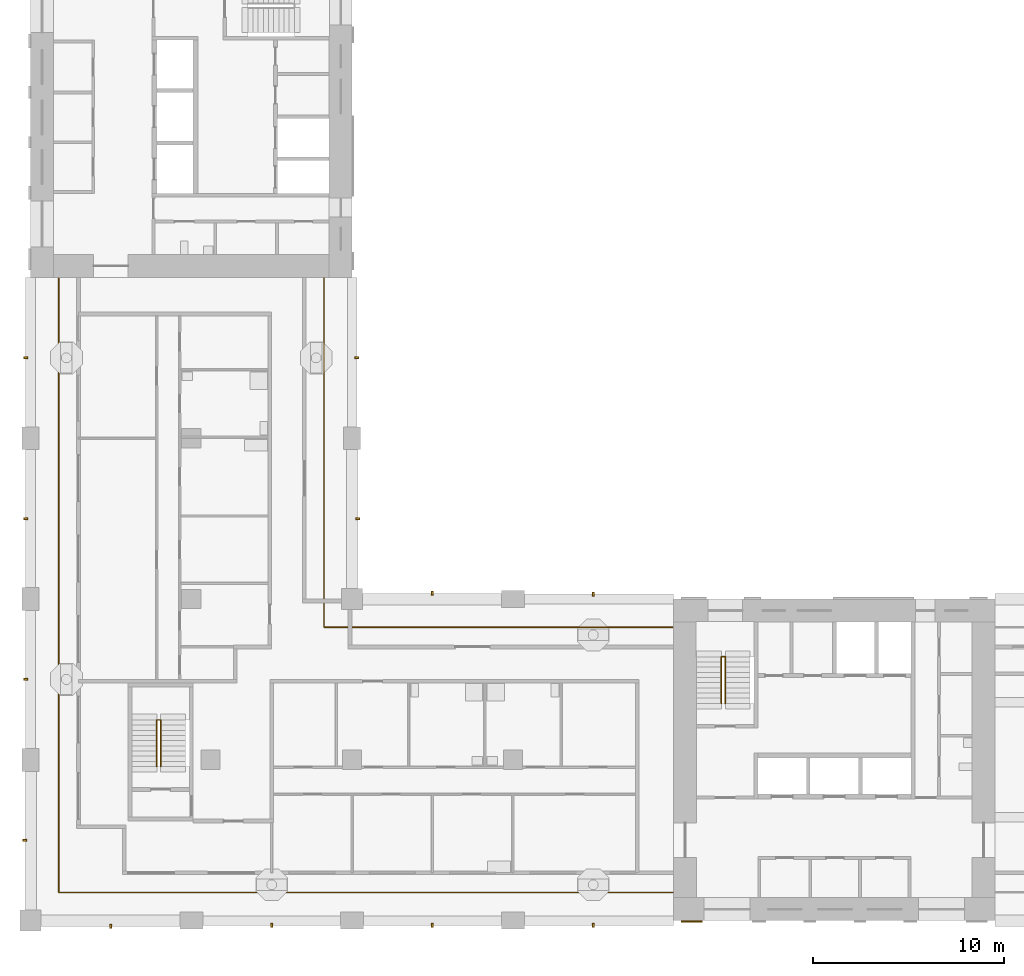
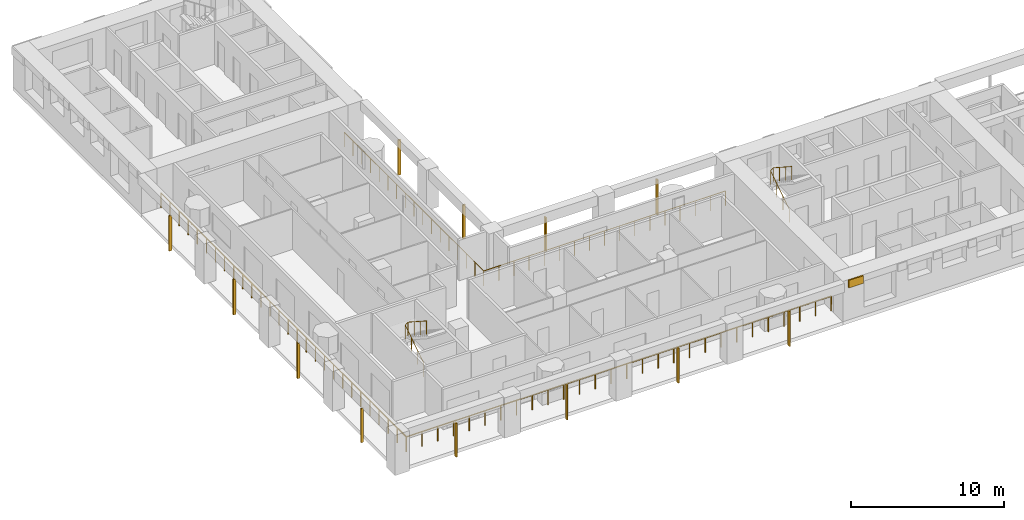
# One storey, part 8 of 13: 13 shading devices, 4 railings.
"""IFC4 building model written with IfcOpenShell, lengths in metres."""

import ifcopenshell
import ifcopenshell.guid

model = None  # the IFC model being written
_history = None  # IfcOwnerHistory: only IFC2X3 demands one
_inside = {}  # id of a spatial element -> (the spatial element, [elements in it])
_under = {}  # id of a project, library or spatial element -> (it, [spatial elements below it])
_declared = {}  # id of a project -> (the project, [libraries it declares])
_typed = {}  # id of a type object -> (the type object, [elements of that type])
_made_of = {}  # id of a material, layer set ... -> (it, [elements and type objects made of it])


def new_model(schema):
    """Start an empty IFC model of exactly this schema.

    Asked for "IFC4X3", IfcOpenShell would pick the latest addendum, in which some entities
    have other attributes; the version numbers below select the first issue.
    IFC2X3 requires an IfcOwnerHistory on every rooted entity: one is made here for all.
    """
    global model, _history
    if schema == "IFC4X3":
        model = ifcopenshell.file(schema_version=(4, 3, 0, 0))
    else:
        model = ifcopenshell.file(schema=schema)
    _inside.clear()
    _under.clear()
    _declared.clear()
    _typed.clear()
    _made_of.clear()
    _history = None
    if model.schema == "IFC2X3":
        org = make("IfcOrganization", Name="unknown")
        user = make(
            "IfcPersonAndOrganization",
            ThePerson=make("IfcPerson", FamilyName="unknown"),
            TheOrganization=org,
        )
        app = make(
            "IfcApplication",
            ApplicationDeveloper=org,
            Version="unknown",
            ApplicationFullName="unknown",
            ApplicationIdentifier="unknown",
        )
        _history = make(
            "IfcOwnerHistory",
            OwningUser=user,
            OwningApplication=app,
            ChangeAction="ADDED",
            CreationDate=0,
        )
    return model


def make(cls, **values):
    """One entity of the class cls with the attributes given. An attribute that is None is left unset."""
    return model.create_entity(
        cls, **{name: value for name, value in values.items() if value is not None}
    )


def rooted(cls, **values):
    """An entity with a GlobalId (a new one), such as an element, a storey or a relation."""
    return make(cls, GlobalId=ifcopenshell.guid.new(), OwnerHistory=_history, **values)


def si_unit(unit_type, name, prefix=None):
    """IfcSIUnit, for example si_unit("LENGTHUNIT", "METRE", prefix="MILLI")."""
    return make("IfcSIUnit", UnitType=unit_type, Prefix=prefix, Name=name)


def assignment(units):
    """IfcUnitAssignment: the units of a project."""
    return None if units is None else make("IfcUnitAssignment", Units=units)


def point(xyz):
    """IfcCartesianPoint."""
    return None if xyz is None else make("IfcCartesianPoint", Coordinates=xyz)


def direction(xyz):
    """IfcDirection."""
    return None if xyz is None else make("IfcDirection", DirectionRatios=xyz)


def frame(location, z_axis=None, x_axis=None):
    """IfcAxis2Placement3D, a coordinate frame: its origin and axes. An axis left out is left unset."""
    return make(
        "IfcAxis2Placement3D",
        Location=point(location),
        Axis=direction(z_axis),
        RefDirection=direction(x_axis),
    )


def frame_2d(location, x_axis=None):
    """IfcAxis2Placement2D, a coordinate frame in the plane: its origin and x axis."""
    return make(
        "IfcAxis2Placement2D", Location=point(location), RefDirection=direction(x_axis)
    )


def origin():
    """The frame at (0, 0, 0) with its axes left unset."""
    return frame((0.0, 0.0, 0.0))


def origin_2d():
    """The frame at (0, 0) in the plane with its x axis left unset."""
    return frame_2d((0.0, 0.0))


def place(relative_to, where):
    """IfcLocalPlacement: puts the frame where relative to a parent placement (None: the world)."""
    return make(
        "IfcLocalPlacement", PlacementRelTo=relative_to, RelativePlacement=where
    )


def context(
    kind, dimensions, precision=None, world=None, true_north=None, identifier=None
):
    """IfcGeometricRepresentationContext, for example the 3D "Model" context."""
    return make(
        "IfcGeometricRepresentationContext",
        ContextIdentifier=identifier,
        ContextType=kind,
        CoordinateSpaceDimension=dimensions,
        Precision=precision,
        WorldCoordinateSystem=world,
        TrueNorth=true_north,
    )


def subcontext(parent, identifier, kind, view, scale=None):
    """IfcGeometricRepresentationSubContext, for example "Body" below "Model"."""
    return make(
        "IfcGeometricRepresentationSubContext",
        ContextIdentifier=identifier,
        ContextType=kind,
        ParentContext=parent,
        TargetScale=scale,
        TargetView=view,
    )


def project(units=None, contexts=None):
    """IfcProject with its units and contexts."""
    return rooted(
        "IfcProject",
        Name="project",
        RepresentationContexts=contexts,
        UnitsInContext=assignment(units),
    )


def spatial(cls, under=None, at=None, **own):
    """A site, building, storey or space (cls), placed at a placement, below another one or the project."""
    s = rooted(cls, ObjectPlacement=at, **own)
    if under is not None:
        _under.setdefault(under.id(), (under, []))[1].append(s)
    return s


def profile(cls, at=None, kind="AREA", **sizes):
    """A parametric profile (cls). Its sizes go by their IFC names, for example OverallWidth=200.0."""
    return make(cls, ProfileType=kind, Position=at, **sizes)


def rectangle(**sizes):
    """IfcRectangleProfileDef."""
    return profile("IfcRectangleProfileDef", **sizes)


def circle(**sizes):
    """IfcCircleProfileDef."""
    return profile("IfcCircleProfileDef", **sizes)


def extrude(swept, where, along, depth):
    """IfcExtrudedAreaSolid: the profile swept, set in the frame where, extruded along a direction by depth."""
    return make(
        "IfcExtrudedAreaSolid",
        SweptArea=swept,
        Position=where,
        ExtrudedDirection=direction(along),
        Depth=depth,
    )


def shape(context_of_items, identifier, shape_type, items):
    """IfcShapeRepresentation: the items that make up one representation, for example the "Body"."""
    return make(
        "IfcShapeRepresentation",
        ContextOfItems=context_of_items,
        RepresentationIdentifier=identifier,
        RepresentationType=shape_type,
        Items=items,
    )


def material(Name=None, Category=None):
    """IfcMaterial."""
    return make("IfcMaterial", Name=Name, Category=Category)


def layer(
    of_material, thickness, ventilated=None, Name=None, Category=None, Priority=None
):
    """IfcMaterialLayer: one layer of a wall or slab, of a material (None: an air gap)."""
    return make(
        "IfcMaterialLayer",
        Material=of_material,
        LayerThickness=thickness,
        IsVentilated=ventilated,
        Name=Name,
        Category=Category,
        Priority=Priority,
    )


def layer_set(layers, Name=None):
    """IfcMaterialLayerSet."""
    return make("IfcMaterialLayerSet", MaterialLayers=layers, LayerSetName=Name)


def material_profile(
    of_material, cross_section, Name=None, Category=None, Priority=None
):
    """IfcMaterialProfile: a cross section and its material."""
    return make(
        "IfcMaterialProfile",
        Name=Name,
        Material=of_material,
        Profile=cross_section,
        Priority=Priority,
        Category=Category,
    )


def profile_set(profiles, Name=None, composite=None):
    """IfcMaterialProfileSet."""
    return make(
        "IfcMaterialProfileSet",
        Name=Name,
        MaterialProfiles=profiles,
        CompositeProfile=composite,
    )


def made_of(thing, what):
    """Note that an element or type object is made of a material, layer set ...; save() writes the relation."""
    if what is not None:
        _made_of.setdefault(what.id(), (what, []))[1].append(thing)
    return thing


def type_object(cls, material=None, **own):
    """A type object (cls), such as IfcWallType, which elements share."""
    return made_of(rooted(cls, **own), material)


def element(
    cls,
    number,
    at=None,
    inside=None,
    cuts=None,
    type_object=None,
    material=None,
    context=None,
    identifier="Body",
    shape_type=None,
    held_by="IfcProductDefinitionShape",
    body=None,
    shapes=None,
    **own,
):
    """One element of the class cls, such as IfcWall. Its Tag is "e" and its number.

    at: its placement. inside: the storey or other place that contains it. cuts: it is an
    opening in that element (IfcRelVoidsElement). A single representation is given by context,
    identifier, shape_type and body (its items); several are given by shapes. held_by: the class
    of the entity that holds the representations. save() writes the other relations.
    """
    e = rooted(cls, Tag="e%d" % number, ObjectPlacement=at, **own)
    if body is not None:
        shapes = [shape(context, identifier, shape_type, body)]
    if shapes is not None:
        e.Representation = make(held_by, Representations=shapes)
    if inside is not None:
        _inside.setdefault(inside.id(), (inside, []))[1].append(e)
    if cuts is not None:
        rooted(
            "IfcRelVoidsElement", RelatingBuildingElement=cuts, RelatedOpeningElement=e
        )
    if type_object is not None:
        _typed.setdefault(type_object.id(), (type_object, []))[1].append(e)
    return made_of(e, material)


def aggregate(whole, parts):
    """IfcRelAggregates: a whole, such as a stair, and the parts it consists of."""
    return rooted("IfcRelAggregates", RelatingObject=whole, RelatedObjects=parts)


def save(model, path):
    """Write the relations noted so far, then the file.

    IfcRelAggregates (storeys below a building ...), IfcRelContainedInSpatialStructure (elements
    in a storey), IfcRelDefinesByType, IfcRelAssociatesMaterial and IfcRelDeclares: one each for
    every whole, place, type object, material and project.
    """
    for whole, parts in _under.values():
        aggregate(whole, parts)
    for where, things in _inside.values():
        rooted(
            "IfcRelContainedInSpatialStructure",
            RelatedElements=things,
            RelatingStructure=where,
        )
    for kind, things in _typed.values():
        rooted("IfcRelDefinesByType", RelatedObjects=things, RelatingType=kind)
    for what, things in _made_of.values():
        rooted("IfcRelAssociatesMaterial", RelatedObjects=things, RelatingMaterial=what)
    for by, libraries in _declared.values():
        rooted("IfcRelDeclares", RelatingContext=by, RelatedDefinitions=libraries)
    model.write(path)


model = new_model("IFC4")

# Units and contexts
model_context = context("Model", 3, precision=1e-05, world=origin(), true_north=direction((0.0, 1.0)))
body_context = subcontext(model_context, "Body", "Model", "MODEL_VIEW")
ifc_project = project(units=[si_unit("LENGTHUNIT", "METRE"), si_unit("AREAUNIT", "SQUARE_METRE"), si_unit("VOLUMEUNIT", "CUBIC_METRE"), si_unit("PLANEANGLEUNIT", "RADIAN"), si_unit("MASSUNIT", "GRAM", prefix="KILO")], contexts=[model_context])

# Site, building, storey
site_placement = place(None, origin())
site = spatial("IfcSite", under=ifc_project, at=site_placement, CompositionType="ELEMENT")
building_placement = place(site_placement, origin())
building = spatial("IfcBuilding", under=site, at=building_placement, Name="Vermilion Gate Residences", CompositionType="ELEMENT")
storey_placement = place(building_placement, frame((0.0, 0.0, 189.699951171875)))
storey = spatial("IfcBuildingStorey", under=building, at=storey_placement, Name="L49", CompositionType="ELEMENT", Elevation=189.699951171875)

# Railings
ifc_material_1 = material(Name="Stainless steel and toughened glass", Category="steel")
railing_type_1 = type_object("IfcRailingType", Name="LOGGIA GUARD STEEL AND GLASS 1200", PredefinedType="GUARDRAIL", material=ifc_material_1)
railing_1_placement = place(storey_placement, frame((41.97802734375, 23.72509765625, 0.0)))
element("IfcRailing", 1, at=railing_1_placement, inside=storey, type_object=railing_type_1, Name="Loggia guard", PredefinedType="GUARDRAIL", context=body_context, shape_type="SweptSolid", body=[
    extrude(circle(Radius=0.030029296875, at=origin_2d()), frame((0.0, 0.0, 1.169921875), z_axis=(-1.0, 0.0, 0.0), x_axis=(0.0, -1.0, 0.0)), (0.0, 0.0, 1.0), 18.2529296875),
    extrude(circle(Radius=0.030029296875, at=origin_2d()), frame((-18.2529296875, 0.0, 1.169921875), z_axis=(0.0, 1.0, 0.0), x_axis=(-1.0, 0.0, 0.0)), (0.0, 0.0, 1.0), 18.2529296875),
    extrude(circle(Radius=0.02490234375, at=origin_2d()), origin(), (0.0, 0.0, 1.0), 1.139892578125),
    extrude(circle(Radius=0.02490234375, at=origin_2d()), frame((-1.140869140625, 0.0, 0.0)), (0.0, 0.0, 1.0), 1.139892578125),
    extrude(circle(Radius=0.02490234375, at=origin_2d()), frame((-2.28173828125, 0.0, 0.0)), (0.0, 0.0, 1.0), 1.139892578125),
    extrude(circle(Radius=0.02490234375, at=origin_2d()), frame((-3.42236328125, 0.0, 0.0)), (0.0, 0.0, 1.0), 1.139892578125),
    extrude(circle(Radius=0.02490234375, at=origin_2d()), frame((-4.563232421875, 0.0, 0.0)), (0.0, 0.0, 1.0), 1.139892578125),
    extrude(circle(Radius=0.02490234375, at=origin_2d()), frame((-5.7041015625, 0.0, 0.0)), (0.0, 0.0, 1.0), 1.139892578125),
    extrude(circle(Radius=0.02490234375, at=origin_2d()), frame((-6.8447265625, 0.0, 0.0)), (0.0, 0.0, 1.0), 1.139892578125),
    extrude(circle(Radius=0.02490234375, at=origin_2d()), frame((-7.985595703125, 0.0, 0.0)), (0.0, 0.0, 1.0), 1.139892578125),
    extrude(circle(Radius=0.02490234375, at=origin_2d()), frame((-9.12646484375, 0.0, 0.0)), (0.0, 0.0, 1.0), 1.139892578125),
    extrude(circle(Radius=0.02490234375, at=origin_2d()), frame((-10.267333984375, 0.0, 0.0)), (0.0, 0.0, 1.0), 1.139892578125),
    extrude(circle(Radius=0.02490234375, at=origin_2d()), frame((-11.408203125, 0.0, 0.0)), (0.0, 0.0, 1.0), 1.139892578125),
    extrude(circle(Radius=0.02490234375, at=origin_2d()), frame((-12.548828125, 0.0, 0.0)), (0.0, 0.0, 1.0), 1.139892578125),
    extrude(circle(Radius=0.02490234375, at=origin_2d()), frame((-13.689697265625, 0.0, 0.0)), (0.0, 0.0, 1.0), 1.139892578125),
    extrude(circle(Radius=0.02490234375, at=origin_2d()), frame((-14.83056640625, 0.0, 0.0)), (0.0, 0.0, 1.0), 1.139892578125),
    extrude(circle(Radius=0.02490234375, at=origin_2d()), frame((-15.97119140625, 0.0, 0.0)), (0.0, 0.0, 1.0), 1.139892578125),
    extrude(circle(Radius=0.02490234375, at=origin_2d()), frame((-17.112060546875, 0.0, 0.0)), (0.0, 0.0, 1.0), 1.139892578125),
    extrude(circle(Radius=0.02490234375, at=origin_2d()), frame((-18.2529296875, 0.0, 0.0)), (0.0, 0.0, 1.0), 1.139892578125),
    extrude(circle(Radius=0.02490234375, at=origin_2d()), frame((-18.2529296875, 1.140869140625, 0.0)), (0.0, 0.0, 1.0), 1.139892578125),
    extrude(circle(Radius=0.02490234375, at=origin_2d()), frame((-18.2529296875, 2.28173828125, 0.0)), (0.0, 0.0, 1.0), 1.139892578125),
    extrude(circle(Radius=0.02490234375, at=origin_2d()), frame((-18.2529296875, 3.42236328125, 0.0)), (0.0, 0.0, 1.0), 1.139892578125),
    extrude(circle(Radius=0.02490234375, at=origin_2d()), frame((-18.2529296875, 4.563232421875, 0.0)), (0.0, 0.0, 1.0), 1.139892578125),
    extrude(circle(Radius=0.02490234375, at=origin_2d()), frame((-18.2529296875, 5.7041015625, 0.0)), (0.0, 0.0, 1.0), 1.139892578125),
    extrude(circle(Radius=0.02490234375, at=origin_2d()), frame((-18.2529296875, 6.8447265625, 0.0)), (0.0, 0.0, 1.0), 1.139892578125),
    extrude(circle(Radius=0.02490234375, at=origin_2d()), frame((-18.2529296875, 7.985595703125, 0.0)), (0.0, 0.0, 1.0), 1.139892578125),
    extrude(circle(Radius=0.02490234375, at=origin_2d()), frame((-18.2529296875, 9.12646484375, 0.0)), (0.0, 0.0, 1.0), 1.139892578125),
    extrude(circle(Radius=0.02490234375, at=origin_2d()), frame((-18.2529296875, 10.267333984375, 0.0)), (0.0, 0.0, 1.0), 1.139892578125),
    extrude(circle(Radius=0.02490234375, at=origin_2d()), frame((-18.2529296875, 11.408203125, 0.0)), (0.0, 0.0, 1.0), 1.139892578125),
    extrude(circle(Radius=0.02490234375, at=origin_2d()), frame((-18.2529296875, 12.548828125, 0.0)), (0.0, 0.0, 1.0), 1.139892578125),
    extrude(circle(Radius=0.02490234375, at=origin_2d()), frame((-18.2529296875, 13.689697265625, 0.0)), (0.0, 0.0, 1.0), 1.139892578125),
    extrude(circle(Radius=0.02490234375, at=origin_2d()), frame((-18.2529296875, 14.83056640625, 0.0)), (0.0, 0.0, 1.0), 1.139892578125),
    extrude(circle(Radius=0.02490234375, at=origin_2d()), frame((-18.2529296875, 15.97119140625, 0.0)), (0.0, 0.0, 1.0), 1.139892578125),
    extrude(circle(Radius=0.02490234375, at=origin_2d()), frame((-18.2529296875, 17.112060546875, 0.0)), (0.0, 0.0, 1.0), 1.139892578125),
    extrude(circle(Radius=0.02490234375, at=origin_2d()), frame((-18.2529296875, 18.2529296875, 0.0)), (0.0, 0.0, 1.0), 1.139892578125),
])
railing_2_placement = place(storey_placement, frame((9.875, 41.97802734375, 0.0)))
element("IfcRailing", 2, at=railing_2_placement, inside=storey, type_object=railing_type_1, Name="Loggia guard", PredefinedType="GUARDRAIL", context=body_context, shape_type="SweptSolid", body=[
    extrude(circle(Radius=0.030029296875, at=origin_2d()), frame((0.0, 0.0, 1.169921875), z_axis=(0.0, -1.0, 0.0), x_axis=(1.0, 0.0, 0.0)), (0.0, 0.0, 1.0), 32.10302734375),
    extrude(circle(Radius=0.030029296875, at=origin_2d()), frame((0.0, -32.10302734375, 1.169921875), z_axis=(1.0, 0.0, 0.0), x_axis=(0.0, 1.0, 0.0)), (0.0, 0.0, 1.0), 32.10302734375),
    extrude(circle(Radius=0.02490234375, at=origin_2d()), origin(), (0.0, 0.0, 1.0), 1.139892578125),
    extrude(circle(Radius=0.02490234375, at=origin_2d()), frame((0.0, -1.18896484375, 0.0)), (0.0, 0.0, 1.0), 1.139892578125),
    extrude(circle(Radius=0.02490234375, at=origin_2d()), frame((0.0, -2.3779296875, 0.0)), (0.0, 0.0, 1.0), 1.139892578125),
    extrude(circle(Radius=0.02490234375, at=origin_2d()), frame((0.0, -3.56689453125, 0.0)), (0.0, 0.0, 1.0), 1.139892578125),
    extrude(circle(Radius=0.02490234375, at=origin_2d()), frame((0.0, -4.756103515625, 0.0)), (0.0, 0.0, 1.0), 1.139892578125),
    extrude(circle(Radius=0.02490234375, at=origin_2d()), frame((0.0, -5.945068359375, 0.0)), (0.0, 0.0, 1.0), 1.139892578125),
    extrude(circle(Radius=0.02490234375, at=origin_2d()), frame((0.0, -7.134033203125, 0.0)), (0.0, 0.0, 1.0), 1.139892578125),
    extrude(circle(Radius=0.02490234375, at=origin_2d()), frame((0.0, -8.322998046875, 0.0)), (0.0, 0.0, 1.0), 1.139892578125),
    extrude(circle(Radius=0.02490234375, at=origin_2d()), frame((0.0, -9.511962890625, 0.0)), (0.0, 0.0, 1.0), 1.139892578125),
    extrude(circle(Radius=0.02490234375, at=origin_2d()), frame((0.0, -10.700927734375, 0.0)), (0.0, 0.0, 1.0), 1.139892578125),
    extrude(circle(Radius=0.02490234375, at=origin_2d()), frame((0.0, -11.889892578125, 0.0)), (0.0, 0.0, 1.0), 1.139892578125),
    extrude(circle(Radius=0.02490234375, at=origin_2d()), frame((0.0, -13.0791015625, 0.0)), (0.0, 0.0, 1.0), 1.139892578125),
    extrude(circle(Radius=0.02490234375, at=origin_2d()), frame((0.0, -14.26806640625, 0.0)), (0.0, 0.0, 1.0), 1.139892578125),
    extrude(circle(Radius=0.02490234375, at=origin_2d()), frame((0.0, -15.45703125, 0.0)), (0.0, 0.0, 1.0), 1.139892578125),
    extrude(circle(Radius=0.02490234375, at=origin_2d()), frame((0.0, -16.64599609375, 0.0)), (0.0, 0.0, 1.0), 1.139892578125),
    extrude(circle(Radius=0.02490234375, at=origin_2d()), frame((0.0, -17.8349609375, 0.0)), (0.0, 0.0, 1.0), 1.139892578125),
    extrude(circle(Radius=0.02490234375, at=origin_2d()), frame((0.0, -19.02392578125, 0.0)), (0.0, 0.0, 1.0), 1.139892578125),
    extrude(circle(Radius=0.02490234375, at=origin_2d()), frame((0.0, -20.213134765625, 0.0)), (0.0, 0.0, 1.0), 1.139892578125),
    extrude(circle(Radius=0.02490234375, at=origin_2d()), frame((0.0, -21.402099609375, 0.0)), (0.0, 0.0, 1.0), 1.139892578125),
    extrude(circle(Radius=0.02490234375, at=origin_2d()), frame((0.0, -22.591064453125, 0.0)), (0.0, 0.0, 1.0), 1.139892578125),
    extrude(circle(Radius=0.02490234375, at=origin_2d()), frame((0.0, -23.780029296875, 0.0)), (0.0, 0.0, 1.0), 1.139892578125),
    extrude(circle(Radius=0.02490234375, at=origin_2d()), frame((0.0, -24.968994140625, 0.0)), (0.0, 0.0, 1.0), 1.139892578125),
    extrude(circle(Radius=0.02490234375, at=origin_2d()), frame((0.0, -26.157958984375, 0.0)), (0.0, 0.0, 1.0), 1.139892578125),
    extrude(circle(Radius=0.02490234375, at=origin_2d()), frame((0.0, -27.346923828125, 0.0)), (0.0, 0.0, 1.0), 1.139892578125),
    extrude(circle(Radius=0.02490234375, at=origin_2d()), frame((0.0, -28.5361328125, 0.0)), (0.0, 0.0, 1.0), 1.139892578125),
    extrude(circle(Radius=0.02490234375, at=origin_2d()), frame((0.0, -29.72509765625, 0.0)), (0.0, 0.0, 1.0), 1.139892578125),
    extrude(circle(Radius=0.02490234375, at=origin_2d()), frame((0.0, -30.9140625, 0.0)), (0.0, 0.0, 1.0), 1.139892578125),
    extrude(circle(Radius=0.02490234375, at=origin_2d()), frame((0.0, -32.10302734375, 0.0)), (0.0, 0.0, 1.0), 1.139892578125),
    extrude(circle(Radius=0.02490234375, at=origin_2d()), frame((1.18896484375, -32.10302734375, 0.0)), (0.0, 0.0, 1.0), 1.139892578125),
    extrude(circle(Radius=0.02490234375, at=origin_2d()), frame((2.3779296875, -32.10302734375, 0.0)), (0.0, 0.0, 1.0), 1.139892578125),
    extrude(circle(Radius=0.02490234375, at=origin_2d()), frame((3.56689453125, -32.10302734375, 0.0)), (0.0, 0.0, 1.0), 1.139892578125),
    extrude(circle(Radius=0.02490234375, at=origin_2d()), frame((4.756103515625, -32.10302734375, 0.0)), (0.0, 0.0, 1.0), 1.139892578125),
    extrude(circle(Radius=0.02490234375, at=origin_2d()), frame((5.945068359375, -32.10302734375, 0.0)), (0.0, 0.0, 1.0), 1.139892578125),
    extrude(circle(Radius=0.02490234375, at=origin_2d()), frame((7.134033203125, -32.10302734375, 0.0)), (0.0, 0.0, 1.0), 1.139892578125),
    extrude(circle(Radius=0.02490234375, at=origin_2d()), frame((8.322998046875, -32.10302734375, 0.0)), (0.0, 0.0, 1.0), 1.139892578125),
    extrude(circle(Radius=0.02490234375, at=origin_2d()), frame((9.511962890625, -32.10302734375, 0.0)), (0.0, 0.0, 1.0), 1.139892578125),
    extrude(circle(Radius=0.02490234375, at=origin_2d()), frame((10.700927734375, -32.10302734375, 0.0)), (0.0, 0.0, 1.0), 1.139892578125),
    extrude(circle(Radius=0.02490234375, at=origin_2d()), frame((11.889892578125, -32.10302734375, 0.0)), (0.0, 0.0, 1.0), 1.139892578125),
    extrude(circle(Radius=0.02490234375, at=origin_2d()), frame((13.0791015625, -32.10302734375, 0.0)), (0.0, 0.0, 1.0), 1.139892578125),
    extrude(circle(Radius=0.02490234375, at=origin_2d()), frame((14.26806640625, -32.10302734375, 0.0)), (0.0, 0.0, 1.0), 1.139892578125),
    extrude(circle(Radius=0.02490234375, at=origin_2d()), frame((15.45703125, -32.10302734375, 0.0)), (0.0, 0.0, 1.0), 1.139892578125),
    extrude(circle(Radius=0.02490234375, at=origin_2d()), frame((16.64599609375, -32.10302734375, 0.0)), (0.0, 0.0, 1.0), 1.139892578125),
    extrude(circle(Radius=0.02490234375, at=origin_2d()), frame((17.8349609375, -32.10302734375, 0.0)), (0.0, 0.0, 1.0), 1.139892578125),
    extrude(circle(Radius=0.02490234375, at=origin_2d()), frame((19.02392578125, -32.10302734375, 0.0)), (0.0, 0.0, 1.0), 1.139892578125),
    extrude(circle(Radius=0.02490234375, at=origin_2d()), frame((20.213134765625, -32.10302734375, 0.0)), (0.0, 0.0, 1.0), 1.139892578125),
    extrude(circle(Radius=0.02490234375, at=origin_2d()), frame((21.402099609375, -32.10302734375, 0.0)), (0.0, 0.0, 1.0), 1.139892578125),
    extrude(circle(Radius=0.02490234375, at=origin_2d()), frame((22.591064453125, -32.10302734375, 0.0)), (0.0, 0.0, 1.0), 1.139892578125),
    extrude(circle(Radius=0.02490234375, at=origin_2d()), frame((23.780029296875, -32.10302734375, 0.0)), (0.0, 0.0, 1.0), 1.139892578125),
    extrude(circle(Radius=0.02490234375, at=origin_2d()), frame((24.968994140625, -32.10302734375, 0.0)), (0.0, 0.0, 1.0), 1.139892578125),
    extrude(circle(Radius=0.02490234375, at=origin_2d()), frame((26.157958984375, -32.10302734375, 0.0)), (0.0, 0.0, 1.0), 1.139892578125),
    extrude(circle(Radius=0.02490234375, at=origin_2d()), frame((27.346923828125, -32.10302734375, 0.0)), (0.0, 0.0, 1.0), 1.139892578125),
    extrude(circle(Radius=0.02490234375, at=origin_2d()), frame((28.5361328125, -32.10302734375, 0.0)), (0.0, 0.0, 1.0), 1.139892578125),
    extrude(circle(Radius=0.02490234375, at=origin_2d()), frame((29.72509765625, -32.10302734375, 0.0)), (0.0, 0.0, 1.0), 1.139892578125),
    extrude(circle(Radius=0.02490234375, at=origin_2d()), frame((30.9140625, -32.10302734375, 0.0)), (0.0, 0.0, 1.0), 1.139892578125),
    extrude(circle(Radius=0.02490234375, at=origin_2d()), frame((32.10302734375, -32.10302734375, 0.0)), (0.0, 0.0, 1.0), 1.139892578125),
])
ifc_material_2 = material(Name="Steel S355", Category="steel")
railing_type_2 = type_object("IfcRailingType", Name="STAIR GUARD 1100 STEEL", PredefinedType="GUARDRAIL", material=ifc_material_2)
for number, where, name in (
    (3, (44.5, 19.75, 0.175048828125), "Stair well guard STA1-49"),
    (4, (15.0, 16.449951171875, 0.175048828125), "Stair well guard STC1-49"),
):
    element("IfcRailing", number, at=place(storey_placement, frame(where)), inside=storey, type_object=railing_type_2, Name=name, PredefinedType="GUARDRAIL", context=body_context, shape_type="SweptSolid", body=[
        extrude(circle(Radius=0.02392578125, at=origin_2d()), frame((0.0, 0.0, 1.076171875), z_axis=(0.0, 0.839153699163, 0.543894354798), x_axis=(-1.0, 0.0, 0.0)), (0.0, 0.0, 1.0), 2.895751953125),
        extrude(circle(Radius=0.02392578125, at=origin_2d()), frame((0.0, 2.429931640625, 2.65087890625), z_axis=(0.752405939678, 0.0, 0.658699705433), x_axis=(0.0, 1.0, 0.0)), (0.0, 0.0, 1.0), 0.265869140625),
        extrude(circle(Radius=0.02392578125, at=origin_2d()), frame((0.199951171875, 2.429931640625, 2.826171875), z_axis=(0.0, -0.839153699163, 0.543894354798), x_axis=(1.0, 0.0, 0.0)), (0.0, 0.0, 1.0), 2.895751953125),
        extrude(circle(Radius=0.02099609375, at=origin_2d()), origin(), (0.0, 0.0, 1.0), 1.052001953125),
        extrude(circle(Radius=0.02099609375, at=origin_2d()), frame((0.0, 0.81005859375, 0.52490234375)), (0.0, 0.0, 1.0), 1.052001953125),
        extrude(circle(Radius=0.02099609375, at=origin_2d()), frame((0.0, 1.619873046875, 1.050048828125)), (0.0, 0.0, 1.0), 1.052001953125),
        extrude(circle(Radius=0.02099609375, at=origin_2d()), frame((0.0, 2.429931640625, 1.574951171875)), (0.0, 0.0, 1.0), 1.052001953125),
        extrude(circle(Radius=0.02099609375, at=origin_2d()), frame((0.199951171875, 2.429931640625, 1.75)), (0.0, 0.0, 1.0), 1.052001953125),
        extrude(circle(Radius=0.02099609375, at=origin_2d()), frame((0.199951171875, 1.619873046875, 2.27490234375)), (0.0, 0.0, 1.0), 1.052001953125),
        extrude(circle(Radius=0.02099609375, at=origin_2d()), frame((0.199951171875, 0.81005859375, 2.800048828125)), (0.0, 0.0, 1.0), 1.052001953125),
        extrude(circle(Radius=0.02099609375, at=origin_2d()), frame((0.199951171875, 0.0, 3.324951171875)), (0.0, 0.0, 1.0), 1.052001953125),
    ])

# Shading devices
ifc_material_3 = material(Name="Extruded terracotta", Category="masonry")
ifc_material_profile = material_profile(ifc_material_3, rectangle(XDim=0.199951171875, YDim=0.10009765625, at=origin_2d()), Name="BAGUETTE 100 X 200")
ifc_profile_set = profile_set([ifc_material_profile], Name="Extruded terracotta")
shading_device_type_1 = type_object("IfcShadingDeviceType", Name="TERRACOTTA BAGUETTE 100 X 200", PredefinedType="JALOUSIE", material=ifc_profile_set)
shading_device_1_placement = place(storey_placement, frame((12.60009765625, 8.10009765625, -0.280029296875), z_axis=(0.0, 0.0, 1.0), x_axis=(0.0, 1.0, 0.0)))
element("IfcShadingDevice", 5, at=shading_device_1_placement, inside=storey, type_object=shading_device_type_1, Name="BAGUETTE", PredefinedType="JALOUSIE", context=body_context, shape_type="SweptSolid", body=[
    extrude(rectangle(XDim=0.199951171875, YDim=0.10009765625, at=origin_2d()), origin(), (0.0, 0.0, 1.0), 2.7001953125),
])
for number, where, z_axis, x_axis, name in (
    (6, (21.0, 8.14990234375, -0.280029296875), (0.0, 0.0, 1.0), (0.0, 1.0, 0.0), "BAGUETTE"),
    (7, (29.39990234375, 8.14990234375, -0.280029296875), (0.0, 0.0, 1.0), (0.0, 1.0, 0.0), "BAGUETTE"),
    (8, (37.800048828125, 8.14990234375, -0.280029296875), (0.0, 0.0, 1.0), (0.0, 1.0, 0.0), "BAGUETTE"),
):
    element("IfcShadingDevice", number, at=place(storey_placement, frame(where, z_axis=z_axis, x_axis=x_axis)), inside=storey, type_object=shading_device_type_1, Name=name, PredefinedType="JALOUSIE", context=body_context, shape_type="SweptSolid", body=[
        extrude(rectangle(XDim=0.199951171875, YDim=0.10009765625, at=origin_2d()), origin(), (0.0, 0.0, 1.0), 2.800048828125),
    ])
shading_device_2_placement = place(storey_placement, frame((29.39990234375, 25.5, -0.280029296875), z_axis=(0.0, 0.0, 1.0), x_axis=(0.0, -1.0, 0.0)))
element("IfcShadingDevice", 9, at=shading_device_2_placement, inside=storey, type_object=shading_device_type_1, Name="BAGUETTE", PredefinedType="JALOUSIE", context=body_context, shape_type="SweptSolid", body=[
    extrude(rectangle(XDim=0.199951171875, YDim=0.10009765625, at=origin_2d()), origin(), (0.0, 0.0, 1.0), 2.7001953125),
])
shading_device_3_placement = place(storey_placement, frame((37.800048828125, 25.449951171875, -0.280029296875), z_axis=(0.0, 0.0, 1.0), x_axis=(0.0, -1.0, 0.0)))
element("IfcShadingDevice", 10, at=shading_device_3_placement, inside=storey, type_object=shading_device_type_1, Name="BAGUETTE", PredefinedType="JALOUSIE", context=body_context, shape_type="SweptSolid", body=[
    extrude(rectangle(XDim=0.199951171875, YDim=0.10009765625, at=origin_2d()), origin(), (0.0, 0.0, 1.0), 2.800048828125),
])
shading_device_4_placement = place(storey_placement, frame((25.5, 29.39990234375, -0.280029296875), z_axis=(0.0, 0.0, 1.0), x_axis=(-1.0, 0.0, 0.0)))
element("IfcShadingDevice", 11, at=shading_device_4_placement, inside=storey, type_object=shading_device_type_1, Name="BAGUETTE", PredefinedType="JALOUSIE", context=body_context, shape_type="SweptSolid", body=[
    extrude(rectangle(XDim=0.199951171875, YDim=0.10009765625, at=origin_2d()), origin(), (0.0, 0.0, 1.0), 2.7001953125),
])
shading_device_5_placement = place(storey_placement, frame((25.449951171875, 37.800048828125, -0.280029296875), z_axis=(0.0, 0.0, 1.0), x_axis=(-1.0, 0.0, 0.0)))
element("IfcShadingDevice", 12, at=shading_device_5_placement, inside=storey, type_object=shading_device_type_1, Name="BAGUETTE", PredefinedType="JALOUSIE", context=body_context, shape_type="SweptSolid", body=[
    extrude(rectangle(XDim=0.199951171875, YDim=0.10009765625, at=origin_2d()), origin(), (0.0, 0.0, 1.0), 2.800048828125),
])
shading_device_6_placement = place(storey_placement, frame((8.10009765625, 12.60009765625, -0.280029296875), z_axis=(0.0, 0.0, 1.0), x_axis=(1.0, 0.0, 0.0)))
element("IfcShadingDevice", 13, at=shading_device_6_placement, inside=storey, type_object=shading_device_type_1, Name="BAGUETTE", PredefinedType="JALOUSIE", context=body_context, shape_type="SweptSolid", body=[
    extrude(rectangle(XDim=0.199951171875, YDim=0.10009765625, at=origin_2d()), origin(), (0.0, 0.0, 1.0), 2.7001953125),
])
for number, where, z_axis, x_axis, name in (
    (14, (8.14990234375, 21.0, -0.280029296875), (0.0, 0.0, 1.0), (1.0, 0.0, 0.0), "BAGUETTE"),
    (15, (8.14990234375, 29.39990234375, -0.280029296875), (0.0, 0.0, 1.0), (1.0, 0.0, 0.0), "BAGUETTE"),
    (16, (8.14990234375, 37.800048828125, -0.280029296875), (0.0, 0.0, 1.0), (1.0, 0.0, 0.0), "BAGUETTE"),
):
    element("IfcShadingDevice", number, at=place(storey_placement, frame(where, z_axis=z_axis, x_axis=x_axis)), inside=storey, type_object=shading_device_type_1, Name=name, PredefinedType="JALOUSIE", context=body_context, shape_type="SweptSolid", body=[
        extrude(rectangle(XDim=0.199951171875, YDim=0.10009765625, at=origin_2d()), origin(), (0.0, 0.0, 1.0), 2.800048828125),
    ])
ifc_material_4 = material(Name="Extruded terracotta", Category="masonry")
ifc_layer = layer(ifc_material_4, 0.10009765625)
ifc_layer_set = layer_set([ifc_layer], Name="TERRACOTTA SPANDREL BAND 600 X 100")
shading_device_type_2 = type_object("IfcShadingDeviceType", Name="TERRACOTTA SPANDREL BAND 600 X 100", PredefinedType="USERDEFINED", material=ifc_layer_set)
shading_device_7_placement = place(storey_placement, frame((42.949951171875, 8.35009765625, 2.6201171875), z_axis=(0.0, 0.0, 1.0), x_axis=(1.0, 0.0, 0.0)))
element("IfcShadingDevice", 17, at=shading_device_7_placement, inside=storey, type_object=shading_device_type_2, Name="SPANDREL BAND", ObjectType="BAND", PredefinedType="USERDEFINED", context=body_context, shape_type="SweptSolid", body=[
    extrude(rectangle(XDim=1.10009765625, YDim=0.10009765625, at=origin_2d()), origin(), (0.0, 0.0, 1.0), 0.60009765625),
])

save(model, "model.ifc")
